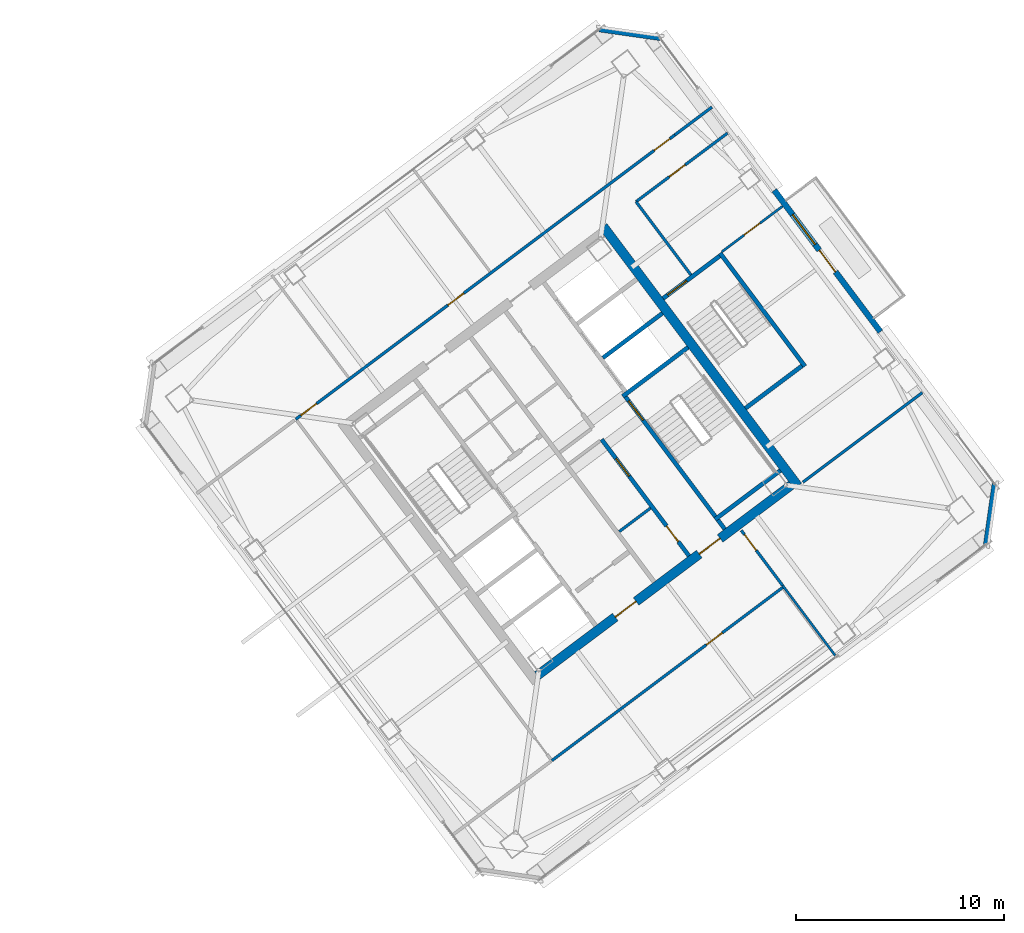
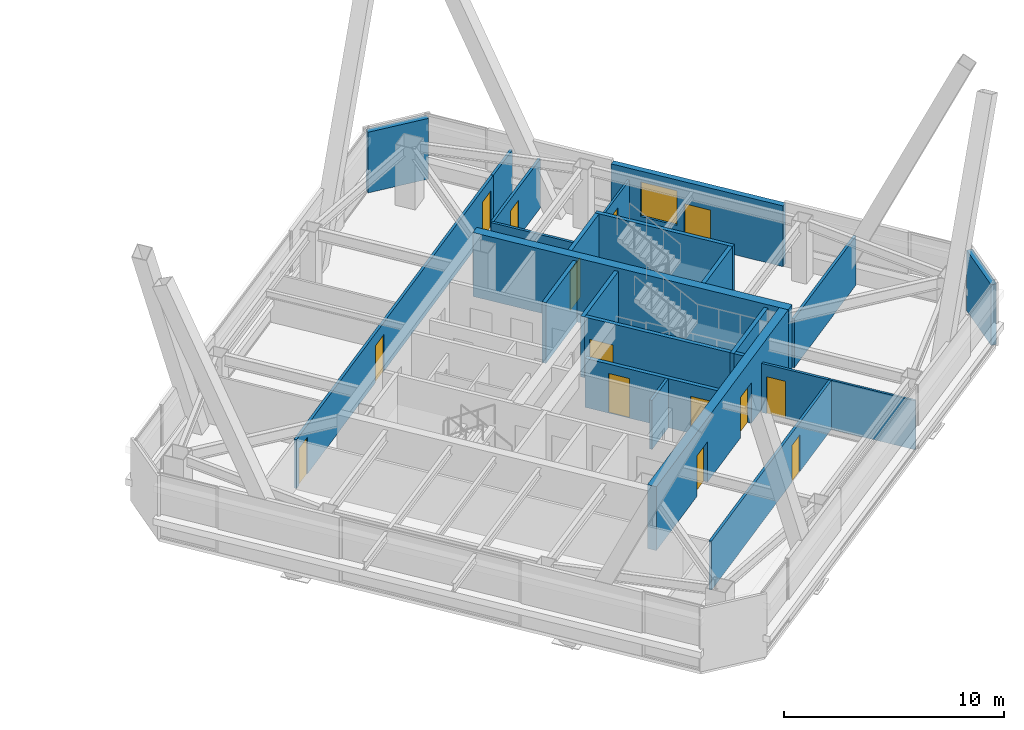
# One storey, part 49 of 56: 23 walls, 14 doors, 1 window, 15 openings.
"""IFC4 building model written with IfcOpenShell, lengths in metres."""

from ifc_helpers import new_model, si_unit, direction, frame, frame_2d, origin, place, context, subcontext, project, spatial, rectangle, extrude, material, layer, layer_set, type_object, element, fill, save


model = new_model("IFC4")

# Units and contexts
model_context = context("Model", 3, precision=1e-05, world=origin(), true_north=direction((0.0, 1.0)))
body_context = subcontext(model_context, "Body", "Model", "MODEL_VIEW")
ifc_project = project(units=[si_unit("LENGTHUNIT", "METRE"), si_unit("AREAUNIT", "SQUARE_METRE"), si_unit("VOLUMEUNIT", "CUBIC_METRE"), si_unit("PLANEANGLEUNIT", "RADIAN"), si_unit("MASSUNIT", "GRAM", prefix="KILO")], contexts=[model_context])

# Site, building, storey
site_placement = place(None, origin())
site = spatial("IfcSite", under=ifc_project, at=site_placement, CompositionType="ELEMENT")
building_placement = place(site_placement, origin())
building = spatial("IfcBuilding", under=site, at=building_placement, Name="Tashvorn Skyway Center", CompositionType="ELEMENT")
storey_placement = place(building_placement, frame((0.0, 0.0, 218.39990234375)))
storey = spatial("IfcBuildingStorey", under=building, at=storey_placement, Name="L59", CompositionType="ELEMENT", Elevation=218.39990234375)

# Wall
ifc_material_1 = material(Name="Concrete C50/60", Category="concrete")
ifc_layer_1 = layer(ifc_material_1, 0.449951171875)
ifc_layer_set_1 = layer_set([ifc_layer_1], Name="Concrete C50/60")
wall_type_1 = type_object("IfcWallType", Name="WALL-CORE-450", PredefinedType="SHEAR", material=ifc_layer_set_1)
wall_1_placement = place(storey_placement, frame((115.60400390625, 42.952880859375, 0.0), z_axis=(0.0, 0.0, 1.0), x_axis=(0.600005007985, -0.799996243986, 0.0)))
element("IfcWall", 1, at=wall_1_placement, inside=storey, type_object=wall_type_1, Name="Tower 2 L59 East Core Shear Wall", PredefinedType="SHEAR", context=body_context, shape_type="SweptSolid", body=[
    extrude(rectangle(XDim=15.60009765625, YDim=0.449951171875, at=frame_2d((7.800048828125, 0.0))), origin(), (0.0, 0.0, 1.0), 3.550048828125),
])

# Wall, openings, doors
wall_2_placement = place(storey_placement, frame((124.64892578125, 30.51806640625, 0.0), z_axis=(0.0, 0.0, 1.0), x_axis=(-0.8, -0.6, 0.0)))
wall_2 = element("IfcWall", 2, at=wall_2_placement, inside=storey, type_object=wall_type_1, Name="Tower 2 L59 South Core Shear Wall", PredefinedType="SHEAR", context=body_context, shape_type="SweptSolid", body=[
    extrude(rectangle(XDim=15.260009765625, YDim=0.449951171875, at=frame_2d((7.6298828125, 0.0))), origin(), (0.0, 0.0, 1.0), 3.550048828125),
])
opening_1_placement = place(wall_2_placement, frame((9.330078125, 0.0, 0.0)))
opening_1 = element("IfcOpeningElement", 3, at=opening_1_placement, cuts=wall_2, Name="Opening D-FFL-1250", PredefinedType="OPENING", context=body_context, shape_type="SweptSolid", body=[
    extrude(rectangle(XDim=1.25, YDim=2.25, at=frame_2d((0.625, 1.125))), frame((0.0, 0.23486328125, 0.0), z_axis=(0.0, -1.0, 0.0), x_axis=(1.0, 0.0, 0.0)), (0.0, 0.0, 1.0), 0.469970703125),
])
opening_2_placement = place(wall_2_placement, frame((4.280029296875, 0.0, 0.0)))
opening_2 = element("IfcOpeningElement", 4, at=opening_2_placement, cuts=wall_2, Name="Opening D-FFL-1250", PredefinedType="OPENING", context=body_context, shape_type="SweptSolid", body=[
    extrude(rectangle(XDim=1.25, YDim=2.25, at=frame_2d((0.625, 1.125))), frame((0.0, 0.23486328125, 0.0), z_axis=(0.0, -1.0, 0.0), x_axis=(1.0, 0.0, 0.0)), (0.0, 0.0, 1.0), 0.469970703125),
])
ifc_material_2 = material(Name="Hollow galvanized steel fire door assembly", Category="steel")
door_type_1 = type_object("IfcDoorType", Name="DOOR-FFL-1250", OperationType="NOTDEFINED", PredefinedType="DOOR", material=ifc_material_2)
door_1_placement = place(opening_1_placement, origin())
door_1 = element("IfcDoor", 5, at=door_1_placement, inside=storey, type_object=door_type_1, Name="Tower 2 L59 Core South Firefighting Exit Door", OperationType="SINGLE_SWING_LEFT", OverallHeight=2.25, OverallWidth=1.25, PredefinedType="DOOR", context=body_context, shape_type="SweptSolid", body=[
    extrude(rectangle(XDim=1.25, YDim=2.25, at=frame_2d((0.625, 1.125))), frame((0.0, 0.02490234375, 0.0), z_axis=(0.0, -1.0, 0.0), x_axis=(1.0, 0.0, 0.0)), (0.0, 0.0, 1.0), 0.050048828125),
])
fill(opening_1, door_1)
door_2_placement = place(opening_2_placement, origin())
door_2 = element("IfcDoor", 6, at=door_2_placement, inside=storey, type_object=door_type_1, Name="Tower 2 L59 Core South Lift Lobby Door", OperationType="SINGLE_SWING_RIGHT", OverallHeight=2.25, OverallWidth=1.25, PredefinedType="DOOR", context=body_context, shape_type="SweptSolid", body=[
    extrude(rectangle(XDim=1.25, YDim=2.25, at=frame_2d((0.625, 1.125))), frame((0.0, 0.02490234375, 0.0), z_axis=(0.0, -1.0, 0.0), x_axis=(1.0, 0.0, 0.0)), (0.0, 0.0, 1.0), 0.050048828125),
])
fill(opening_2, door_2)

# Wall, openings, door, window
ifc_material_3 = material(Name="Precast concrete C40/50", Category="concrete")
ifc_layer_2 = layer(ifc_material_3, 0.280029296875)
ifc_layer_set_2 = layer_set([ifc_layer_2], Name="Precast concrete C40/50")
wall_type_2 = type_object("IfcWallType", Name="WALL-EXT-280", PredefinedType="SOLIDWALL", material=ifc_layer_set_2)
wall_3_placement = place(storey_placement, frame((123.833984375, 44.68798828125, 0.0), z_axis=(0.0, 0.0, 1.0), x_axis=(0.600004595526, -0.799996553335, 0.0)))
wall_3 = element("IfcWall", 7, at=wall_3_placement, inside=storey, type_object=wall_type_2, Name="Tower 2 L59 East Terrace Portal Wall", PredefinedType="SOLIDWALL", context=body_context, shape_type="SweptSolid", body=[
    extrude(rectangle(XDim=8.5, YDim=0.280029296875, at=frame_2d((4.25, 0.0))), origin(), (0.0, 0.0, 1.0), 3.3701171875),
])
opening_3_placement = place(wall_3_placement, frame((3.60009765625, 0.0, 0.0)))
opening_3 = element("IfcOpeningElement", 8, at=opening_3_placement, cuts=wall_3, Name="Opening D-TER-1300", PredefinedType="OPENING", context=body_context, shape_type="SweptSolid", body=[
    extrude(rectangle(XDim=1.300048828125, YDim=2.14990234375, at=frame_2d((0.64990234375, 1.074951171875))), frame((0.0, 0.14990234375, 0.0), z_axis=(0.0, -1.0, 0.0), x_axis=(1.0, 0.0, 0.0)), (0.0, 0.0, 1.0), 0.300048828125),
])
opening_4_placement = place(wall_3_placement, frame((1.4599609375, 0.0, 0.85009765625)))
opening_4 = element("IfcOpeningElement", 9, at=opening_4_placement, cuts=wall_3, Name="Opening WIN-1800", PredefinedType="OPENING", context=body_context, shape_type="SweptSolid", body=[
    extrude(rectangle(XDim=1.800048828125, YDim=1.919921875, at=frame_2d((0.89990234375, 0.9599609375))), frame((0.0, 0.14990234375, 0.0), z_axis=(0.0, -1.0, 0.0), x_axis=(1.0, 0.0, 0.0)), (0.0, 0.0, 1.0), 0.300048828125),
])
ifc_material_4 = material(Name="Thermally broken bronze-anodized aluminium 6063-T6", Category="aluminium")
door_type_2 = type_object("IfcDoorType", Name="DOOR-TERR-1300", OperationType="NOTDEFINED", PredefinedType="DOOR", material=ifc_material_4)
door_3_placement = place(opening_3_placement, origin())
door_3 = element("IfcDoor", 10, at=door_3_placement, inside=storey, type_object=door_type_2, Name="Tower 2 L59 Terrace Access Door", OperationType="SINGLE_SWING_RIGHT", OverallHeight=2.14990234375, OverallWidth=1.300048828125, PredefinedType="DOOR", context=body_context, shape_type="SweptSolid", body=[
    extrude(rectangle(XDim=1.300048828125, YDim=2.14990234375, at=frame_2d((0.64990234375, 1.074951171875))), frame((0.0, 0.02490234375, 0.0), z_axis=(0.0, -1.0, 0.0), x_axis=(1.0, 0.0, 0.0)), (0.0, 0.0, 1.0), 0.050048828125),
])
fill(opening_3, door_3)
ifc_material_5 = material(Name="Low-E solar-control double insulating safety glass", Category="glass")
window_type = type_object("IfcWindowType", Name="WIN-TERR-1800", PartitioningType="SINGLE_PANEL", PredefinedType="WINDOW", material=ifc_material_5)
window_placement = place(opening_4_placement, origin())
window = element("IfcWindow", 11, at=window_placement, inside=storey, type_object=window_type, Name="Tower 2 L59 Terrace Window", OverallHeight=1.919921875, OverallWidth=1.800048828125, PartitioningType="SINGLE_PANEL", PredefinedType="WINDOW", context=body_context, shape_type="SweptSolid", body=[
    extrude(rectangle(XDim=1.800048828125, YDim=1.919921875, at=frame_2d((0.89990234375, 0.9599609375))), frame((0.0, 0.030029296875, 0.0), z_axis=(0.0, -1.0, 0.0), x_axis=(1.0, 0.0, 0.0)), (0.0, 0.0, 1.0), 0.06005859375),
])
fill(opening_4, window)

# Walls
for number, where, z_axis, x_axis, name in (
    (12, (115.419921875, 52.43994140625, 0.0), (0.0, 0.0, 1.0), (0.989954425158, -0.14138683146, 0.0), "Tower 2 L59 NE Precast Chamfer Wall"),
    (13, (134.43994140625, 30.580078125, 0.0), (0.0, 0.0, 1.0), (-0.14138683146, -0.989954425158, 0.0), "Tower 2 L59 SE Precast Chamfer Wall"),
):
    element("IfcWall", number, at=place(storey_placement, frame(where, z_axis=z_axis, x_axis=x_axis)), inside=storey, type_object=wall_type_2, Name=name, PredefinedType="SOLIDWALL", context=body_context, shape_type="SweptSolid", body=[
        extrude(rectangle(XDim=2.969970703125, YDim=0.280029296875, at=frame_2d((1.48486328125, 0.0))), origin(), (0.0, 0.0, 1.0), 3.3701171875),
    ])
ifc_material_6 = material(Name="Gypsum board on cold-formed steel stud framing", Category="steel")
ifc_layer_3 = layer(ifc_material_6, 0.110107421875)
ifc_layer_set_3 = layer_set([ifc_layer_3], Name="Gypsum board on cold-formed steel stud framing")
wall_type_3 = type_object("IfcWallType", Name="WALL-PART-110", PredefinedType="PARTITIONING", material=ifc_layer_set_3)
wall_4_placement = place(storey_placement, frame((126.80810546875, 22.256103515625, 0.0), z_axis=(0.0, 0.0, 1.0), x_axis=(-0.600045526003, 0.799965853474, 0.0)))
element("IfcWall", 14, at=wall_4_placement, inside=storey, type_object=wall_type_3, Name="Tower 2 L59 South-East Suite Wall", PredefinedType="PARTITIONING", context=body_context, shape_type="SweptSolid", body=[
    extrude(rectangle(XDim=4.2900390625, YDim=0.110107421875, at=frame_2d((2.14501953125, 0.0))), origin(), (0.0, 0.0, 1.0), 2.72314453125),
])

# Wall, opening, door
wall_5_placement = place(storey_placement, frame((124.22412109375, 43.91796875, 0.0), z_axis=(0.0, 0.0, 1.0), x_axis=(-0.800024078335, -0.599967894211, 0.0)))
wall_5 = element("IfcWall", 15, at=wall_5_placement, inside=storey, type_object=wall_type_3, Name="Tower 2 L59 East Suite Partition 1", PredefinedType="PARTITIONING", context=body_context, shape_type="SweptSolid", body=[
    extrude(rectangle(XDim=3.650146484375, YDim=0.110107421875, at=frame_2d((1.8251953125, 0.0))), origin(), (0.0, 0.0, 1.0), 2.72314453125),
])
opening_5_placement = place(wall_5_placement, frame((1.35009765625, 0.0, 0.0)))
opening_5 = element("IfcOpeningElement", 16, at=opening_5_placement, cuts=wall_5, Name="Opening D-INT-950", PredefinedType="OPENING", context=body_context, shape_type="SweptSolid", body=[
    extrude(rectangle(XDim=0.949951171875, YDim=2.050048828125, at=frame_2d((0.47509765625, 1.02490234375))), frame((0.0, 0.06494140625, 0.0), z_axis=(0.0, -1.0, 0.0), x_axis=(1.0, 0.0, 0.0)), (0.0, 0.0, 1.0), 0.130126953125),
])
ifc_material_7 = material(Name="Solid-core architectural oak veneer door")
door_type_3 = type_object("IfcDoorType", Name="DOOR-INT-950", OperationType="NOTDEFINED", PredefinedType="DOOR", material=ifc_material_7)
door_4_placement = place(opening_5_placement, origin())
door_4 = element("IfcDoor", 17, at=door_4_placement, inside=storey, type_object=door_type_3, Name="Tower 2 L59 Reading Lounge Door", OperationType="SINGLE_SWING_LEFT", OverallHeight=2.050048828125, OverallWidth=0.949951171875, PredefinedType="DOOR", context=body_context, shape_type="SweptSolid", body=[
    extrude(rectangle(XDim=0.949951171875, YDim=2.050048828125, at=frame_2d((0.47509765625, 1.02490234375))), frame((0.0, 0.02490234375, 0.0), z_axis=(0.0, -1.0, 0.0), x_axis=(1.0, 0.0, 0.0)), (0.0, 0.0, 1.0), 0.050048828125),
])
fill(opening_5, door_4)

# Wall
ifc_layer_4 = layer(ifc_material_6, 0.135009765625)
ifc_layer_set_4 = layer_set([ifc_layer_4], Name="Gypsum board on cold-formed steel stud framing")
wall_type_4 = type_object("IfcWallType", Name="WALL-PART-135", PredefinedType="PARTITIONING", material=ifc_layer_set_4)
wall_6_placement = place(storey_placement, frame((119.823974609375, 40.617919921875, 0.0), z_axis=(0.0, 0.0, 1.0), x_axis=(-0.599982243973, 0.800013316712, 0.0)))
element("IfcWall", 18, at=wall_6_placement, inside=storey, type_object=wall_type_4, Name="Tower 2 L59 Stair 3 Access Corridor Wall", PredefinedType="PARTITIONING", context=body_context, shape_type="SweptSolid", body=[
    extrude(rectangle(XDim=4.39990234375, YDim=0.135009765625, at=frame_2d((2.199951171875, 0.0))), origin(), (0.0, 0.0, 1.0), 2.72314453125),
])

# Wall, openings, doors
wall_7_placement = place(storey_placement, frame((100.825927734375, 33.681884765625, 0.0), z_axis=(0.0, 0.0, 1.0), x_axis=(0.79999742786, 0.600003429504, 0.0)))
wall_7 = element("IfcWall", 19, at=wall_7_placement, inside=storey, type_object=wall_type_4, Name="Tower 2 L59 North Suite Wall", PredefinedType="PARTITIONING", context=body_context, shape_type="SweptSolid", body=[
    extrude(rectangle(XDim=22.7802734375, YDim=0.135009765625, at=frame_2d((11.39013671875, 0.0))), origin(), (0.0, 0.0, 1.0), 2.72314453125),
])
opening_6_placement = place(wall_7_placement, frame((0.300048828125, 0.0, 0.0)))
opening_6 = element("IfcOpeningElement", 20, at=opening_6_placement, cuts=wall_7, Name="Opening D-INT-950", PredefinedType="OPENING", context=body_context, shape_type="SweptSolid", body=[
    extrude(rectangle(XDim=0.949951171875, YDim=2.050048828125, at=frame_2d((0.47509765625, 1.02490234375))), frame((0.0, 0.077392578125, 0.0), z_axis=(0.0, -1.0, 0.0), x_axis=(1.0, 0.0, 0.0)), (0.0, 0.0, 1.0), 0.155029296875),
])
opening_7_placement = place(wall_7_placement, frame((9.142578125, 0.0, 0.0)))
opening_7 = element("IfcOpeningElement", 21, at=opening_7_placement, cuts=wall_7, Name="Opening D-INT-950", PredefinedType="OPENING", context=body_context, shape_type="SweptSolid", body=[
    extrude(rectangle(XDim=0.949951171875, YDim=2.050048828125, at=frame_2d((0.47509765625, 1.02490234375))), frame((0.0, 0.077392578125, 0.0), z_axis=(0.0, -1.0, 0.0), x_axis=(1.0, 0.0, 0.0)), (0.0, 0.0, 1.0), 0.155029296875),
])
opening_8_placement = place(wall_7_placement, frame((21.530029296875, 0.0, 0.0)))
opening_8 = element("IfcOpeningElement", 22, at=opening_8_placement, cuts=wall_7, Name="Opening D-INT-950", PredefinedType="OPENING", context=body_context, shape_type="SweptSolid", body=[
    extrude(rectangle(XDim=0.949951171875, YDim=2.050048828125, at=frame_2d((0.47509765625, 1.02490234375))), frame((0.0, 0.077392578125, 0.0), z_axis=(0.0, -1.0, 0.0), x_axis=(1.0, 0.0, 0.0)), (0.0, 0.0, 1.0), 0.155029296875),
])
door_5_placement = place(opening_6_placement, origin())
door_5 = element("IfcDoor", 23, at=door_5_placement, inside=storey, type_object=door_type_3, Name="Tower 2 L59 Executive Study Lounge Door", OperationType="SINGLE_SWING_LEFT", OverallHeight=2.050048828125, OverallWidth=0.949951171875, PredefinedType="DOOR", context=body_context, shape_type="SweptSolid", body=[
    extrude(rectangle(XDim=0.949951171875, YDim=2.050048828125, at=frame_2d((0.47509765625, 1.02490234375))), frame((0.0, 0.02490234375, 0.0), z_axis=(0.0, -1.0, 0.0), x_axis=(1.0, 0.0, 0.0)), (0.0, 0.0, 1.0), 0.050048828125),
])
fill(opening_6, door_5)
door_6_placement = place(opening_7_placement, origin())
door_6 = element("IfcDoor", 24, at=door_6_placement, inside=storey, type_object=door_type_3, Name="Tower 2 L59 Executive Study Lounge Door", OperationType="SINGLE_SWING_RIGHT", OverallHeight=2.050048828125, OverallWidth=0.949951171875, PredefinedType="DOOR", context=body_context, shape_type="SweptSolid", body=[
    extrude(rectangle(XDim=0.949951171875, YDim=2.050048828125, at=frame_2d((0.47509765625, 1.02490234375))), frame((0.0, 0.02490234375, 0.0), z_axis=(0.0, -1.0, 0.0), x_axis=(1.0, 0.0, 0.0)), (0.0, 0.0, 1.0), 0.050048828125),
])
fill(opening_7, door_6)
door_7_placement = place(opening_8_placement, origin())
door_7 = element("IfcDoor", 25, at=door_7_placement, inside=storey, type_object=door_type_3, Name="Tower 2 L59 Reading Lounge Door", OperationType="SINGLE_SWING_LEFT", OverallHeight=2.050048828125, OverallWidth=0.949951171875, PredefinedType="DOOR", context=body_context, shape_type="SweptSolid", body=[
    extrude(rectangle(XDim=0.949951171875, YDim=2.050048828125, at=frame_2d((0.47509765625, 1.02490234375))), frame((0.0, 0.02490234375, 0.0), z_axis=(0.0, -1.0, 0.0), x_axis=(1.0, 0.0, 0.0)), (0.0, 0.0, 1.0), 0.050048828125),
])
fill(opening_8, door_7)

# Wall
wall_8_placement = place(storey_placement, frame((119.050048828125, 47.35009765625, 0.0), z_axis=(0.0, 0.0, 1.0), x_axis=(0.800013138111, 0.599982482119, 0.0)))
element("IfcWall", 26, at=wall_8_placement, inside=storey, type_object=wall_type_4, Name="Tower 2 L59 North-East Suite South Wall", PredefinedType="PARTITIONING", context=body_context, shape_type="SweptSolid", body=[
    extrude(rectangle(XDim=2.22998046875, YDim=0.135009765625, at=frame_2d((1.114990234375, 0.0))), origin(), (0.0, 0.0, 1.0), 2.72314453125),
])

# Wall, opening, door
wall_9_placement = place(storey_placement, frame((124.281982421875, 25.6240234375, 0.0), z_axis=(0.0, 0.0, 1.0), x_axis=(-0.800004206286, -0.599994391578, 0.0)))
wall_9 = element("IfcWall", 27, at=wall_9_placement, inside=storey, type_object=wall_type_4, Name="Tower 2 L59 South Suite Wall", PredefinedType="PARTITIONING", context=body_context, shape_type="SweptSolid", body=[
    extrude(rectangle(XDim=13.929931640625, YDim=0.135009765625, at=frame_2d((6.96484375, 0.0))), origin(), (0.0, 0.0, 1.0), 2.72314453125),
])
opening_9_placement = place(wall_9_placement, frame((3.689697265625, 0.0, 0.0)))
opening_9 = element("IfcOpeningElement", 28, at=opening_9_placement, cuts=wall_9, Name="Opening D-INT-950", PredefinedType="OPENING", context=body_context, shape_type="SweptSolid", body=[
    extrude(rectangle(XDim=0.949951171875, YDim=2.050048828125, at=frame_2d((0.47509765625, 1.02490234375))), frame((0.0, 0.077392578125, 0.0), z_axis=(0.0, -1.0, 0.0), x_axis=(1.0, 0.0, 0.0)), (0.0, 0.0, 1.0), 0.155029296875),
])
door_8_placement = place(opening_9_placement, origin())
door_8 = element("IfcDoor", 29, at=door_8_placement, inside=storey, type_object=door_type_3, Name="Tower 2 L59 Executive Study Lounge Door", OperationType="SINGLE_SWING_RIGHT", OverallHeight=2.050048828125, OverallWidth=0.949951171875, PredefinedType="DOOR", context=body_context, shape_type="SweptSolid", body=[
    extrude(rectangle(XDim=0.949951171875, YDim=2.050048828125, at=frame_2d((0.47509765625, 1.02490234375))), frame((0.0, 0.02490234375, 0.0), z_axis=(0.0, -1.0, 0.0), x_axis=(1.0, 0.0, 0.0)), (0.0, 0.0, 1.0), 0.050048828125),
])
fill(opening_9, door_8)

wall_10_placement = place(storey_placement, frame((122.248046875, 28.3359375, 0.0), z_axis=(0.0, 0.0, 1.0), x_axis=(0.599976396045, -0.800017702422, 0.0)))
wall_10 = element("IfcWall", 30, at=wall_10_placement, inside=storey, type_object=wall_type_4, Name="Tower 2 L59 South Gallery End Wall", PredefinedType="PARTITIONING", context=body_context, shape_type="SweptSolid", body=[
    extrude(rectangle(XDim=3.309814453125, YDim=0.135009765625, at=frame_2d((1.65478515625, 0.0))), origin(), (0.0, 0.0, 1.0), 2.72314453125),
])
opening_10_placement = place(wall_10_placement, frame((0.25, 0.0, 0.0)))
opening_10 = element("IfcOpeningElement", 31, at=opening_10_placement, cuts=wall_10, Name="Opening D-INT-950", PredefinedType="OPENING", context=body_context, shape_type="SweptSolid", body=[
    extrude(rectangle(XDim=0.949951171875, YDim=2.050048828125, at=frame_2d((0.47509765625, 1.02490234375))), frame((0.0, 0.077392578125, 0.0), z_axis=(0.0, -1.0, 0.0), x_axis=(1.0, 0.0, 0.0)), (0.0, 0.0, 1.0), 0.155029296875),
])
door_9_placement = place(opening_10_placement, origin())
door_9 = element("IfcDoor", 32, at=door_9_placement, inside=storey, type_object=door_type_3, Name="Tower 2 L59 Open Plan Office Door", OperationType="SINGLE_SWING_LEFT", OverallHeight=2.050048828125, OverallWidth=0.949951171875, PredefinedType="DOOR", context=body_context, shape_type="SweptSolid", body=[
    extrude(rectangle(XDim=0.949951171875, YDim=2.050048828125, at=frame_2d((0.47509765625, 1.02490234375))), frame((0.0, 0.02490234375, 0.0), z_axis=(0.0, -1.0, 0.0), x_axis=(1.0, 0.0, 0.0)), (0.0, 0.0, 1.0), 0.050048828125),
])
fill(opening_10, door_9)

wall_11_placement = place(storey_placement, frame((121.583984375, 47.43798828125, 0.0), z_axis=(0.0, 0.0, 1.0), x_axis=(-0.79998934637, -0.600014204577, 0.0)))
wall_11 = element("IfcWall", 33, at=wall_11_placement, inside=storey, type_object=wall_type_4, Name="Tower 2 L59 East Suite North Wall", PredefinedType="PARTITIONING", context=body_context, shape_type="SweptSolid", body=[
    extrude(rectangle(XDim=5.5, YDim=0.135009765625, at=frame_2d((2.75, 0.0))), origin(), (0.0, 0.0, 1.0), 2.72314453125),
])
opening_11_placement = place(wall_11_placement, frame((2.550048828125, 0.0, 0.0)))
opening_11 = element("IfcOpeningElement", 34, at=opening_11_placement, cuts=wall_11, Name="Opening D-INT-950", PredefinedType="OPENING", context=body_context, shape_type="SweptSolid", body=[
    extrude(rectangle(XDim=0.949951171875, YDim=2.050048828125, at=frame_2d((0.47509765625, 1.02490234375))), frame((0.0, 0.077392578125, 0.0), z_axis=(0.0, -1.0, 0.0), x_axis=(1.0, 0.0, 0.0)), (0.0, 0.0, 1.0), 0.155029296875),
])
door_10_placement = place(opening_11_placement, origin())
door_10 = element("IfcDoor", 35, at=door_10_placement, inside=storey, type_object=door_type_3, Name="Tower 2 L59 Open Plan Office Door", OperationType="SINGLE_SWING_RIGHT", OverallHeight=2.050048828125, OverallWidth=0.949951171875, PredefinedType="DOOR", context=body_context, shape_type="SweptSolid", body=[
    extrude(rectangle(XDim=0.949951171875, YDim=2.050048828125, at=frame_2d((0.47509765625, 1.02490234375))), frame((0.0, 0.02490234375, 0.0), z_axis=(0.0, -1.0, 0.0), x_axis=(1.0, 0.0, 0.0)), (0.0, 0.0, 1.0), 0.050048828125),
])
fill(opening_11, door_10)

# Walls
wall_12_placement = place(storey_placement, frame((125.2080078125, 30.656005859375, 0.0), z_axis=(0.0, 0.0, 1.0), x_axis=(0.800004085978, 0.599994551991, 0.0)))
element("IfcWall", 36, at=wall_12_placement, inside=storey, type_object=wall_type_4, Name="Tower 2 L59 East Suite South Wall", PredefinedType="PARTITIONING", context=body_context, shape_type="SweptSolid", body=[
    extrude(rectangle(XDim=7.170166015625, YDim=0.135009765625, at=frame_2d((3.5849609375, 0.0))), origin(), (0.0, 0.0, 1.0), 2.72314453125),
])
ifc_layer_5 = layer(ifc_material_6, 0.135009765625)
ifc_layer_set_5 = layer_set([ifc_layer_5], Name="Gypsum board on cold-formed steel stud framing")
wall_type_5 = type_object("IfcWallType", Name="WALL-RATED-135", PredefinedType="PARTITIONING", material=ifc_layer_set_5)
wall_13_placement = place(storey_placement, frame((116.3759765625, 28.281982421875, 0.0), z_axis=(0.0, 0.0, 1.0), x_axis=(0.8, 0.6, 0.0)))
element("IfcWall", 37, at=wall_13_placement, inside=storey, type_object=wall_type_5, Name="Tower 2 L59 Freed Core Partition", PredefinedType="PARTITIONING", context=body_context, shape_type="SweptSolid", body=[
    extrude(rectangle(XDim=1.8798828125, YDim=0.135009765625, at=frame_2d((0.93994140625, 0.0))), origin(), (0.0, 0.0, 1.0), 2.72314453125),
])
ifc_material_8 = material(Name="Concrete C40/50", Category="concrete")
ifc_layer_6 = layer(ifc_material_8, 0.199951171875)
ifc_layer_set_6 = layer_set([ifc_layer_6], Name="Concrete C40/50")
wall_type_6 = type_object("IfcWallType", Name="WALL-SHAFT-200", PredefinedType="SOLIDWALL", material=ifc_layer_set_6)
wall_14_placement = place(storey_placement, frame((115.590087890625, 36.6298828125, 0.0), z_axis=(0.0, 0.0, 1.0), x_axis=(0.799975449747, 0.600032732276, 0.0)))
element("IfcWall", 38, at=wall_14_placement, inside=storey, type_object=wall_type_6, Name="Tower 2 L59 High-Rise Shaft Divider", PredefinedType="SOLIDWALL", context=body_context, shape_type="SweptSolid", body=[
    extrude(rectangle(XDim=3.580078125, YDim=0.199951171875, at=frame_2d((1.7900390625, 0.0))), origin(), (0.0, 0.0, 1.0), 3.3701171875),
])

# Wall, openings, doors
wall_15_placement = place(storey_placement, frame((119.72998046875, 27.110107421875, 0.0), z_axis=(0.0, 0.0, 1.0), x_axis=(-0.600005580459, 0.799995814625, 0.0)))
wall_15 = element("IfcWall", 39, at=wall_15_placement, inside=storey, type_object=wall_type_6, Name="Tower 2 L59 Low-Rise Core Wall", PredefinedType="SOLIDWALL", context=body_context, shape_type="SweptSolid", body=[
    extrude(rectangle(XDim=6.999755859375, YDim=0.199951171875, at=frame_2d((3.5, 0.0))), origin(), (0.0, 0.0, 1.0), 2.72314453125),
])
opening_12_placement = place(wall_15_placement, frame((0.85009765625, 0.0, 0.0)))
opening_12 = element("IfcOpeningElement", 40, at=opening_12_placement, cuts=wall_15, Name="Opening D-RT-950", PredefinedType="OPENING", context=body_context, shape_type="SweptSolid", body=[
    extrude(rectangle(XDim=0.949951171875, YDim=2.050048828125, at=frame_2d((0.47509765625, 1.02490234375))), frame((0.0, 0.10986328125, 0.0), z_axis=(0.0, -1.0, 0.0), x_axis=(1.0, 0.0, 0.0)), (0.0, 0.0, 1.0), 0.219970703125),
])
opening_13_placement = place(wall_15_placement, frame((4.800048828125, 0.0, 0.0)))
opening_13 = element("IfcOpeningElement", 41, at=opening_13_placement, cuts=wall_15, Name="Opening D-RT-1050", PredefinedType="OPENING", context=body_context, shape_type="SweptSolid", body=[
    extrude(rectangle(XDim=1.050048828125, YDim=2.199951171875, at=frame_2d((0.52490234375, 1.10009765625))), frame((0.0, 0.10986328125, 0.0), z_axis=(0.0, -1.0, 0.0), x_axis=(1.0, 0.0, 0.0)), (0.0, 0.0, 1.0), 0.219970703125),
])
door_type_4 = type_object("IfcDoorType", Name="DOOR-RATED-1050", OperationType="NOTDEFINED", PredefinedType="DOOR", material=ifc_material_2)
door_11_placement = place(opening_13_placement, origin())
door_11 = element("IfcDoor", 42, at=door_11_placement, inside=storey, type_object=door_type_4, Name="Tower 2 L59 Freed Core Room Door", OperationType="SINGLE_SWING_RIGHT", OverallHeight=2.199951171875, OverallWidth=1.050048828125, PredefinedType="DOOR", context=body_context, shape_type="SweptSolid", body=[
    extrude(rectangle(XDim=1.050048828125, YDim=2.199951171875, at=frame_2d((0.52490234375, 1.10009765625))), frame((0.0, 0.02490234375, 0.0), z_axis=(0.0, -1.0, 0.0), x_axis=(1.0, 0.0, 0.0)), (0.0, 0.0, 1.0), 0.050048828125),
])
fill(opening_13, door_11)
door_type_5 = type_object("IfcDoorType", Name="DOOR-RATED-950", OperationType="NOTDEFINED", PredefinedType="DOOR", material=ifc_material_2)
door_12_placement = place(opening_12_placement, origin())
door_12 = element("IfcDoor", 43, at=door_12_placement, inside=storey, type_object=door_type_5, Name="Tower 2 L59 Core Print Room Door", OperationType="SINGLE_SWING_LEFT", OverallHeight=2.050048828125, OverallWidth=0.949951171875, PredefinedType="DOOR", context=body_context, shape_type="SweptSolid", body=[
    extrude(rectangle(XDim=0.949951171875, YDim=2.050048828125, at=frame_2d((0.47509765625, 1.02490234375))), frame((0.0, 0.02490234375, 0.0), z_axis=(0.0, -1.0, 0.0), x_axis=(1.0, 0.0, 0.0)), (0.0, 0.0, 1.0), 0.050048828125),
])
fill(opening_12, door_12)

# Wall, opening, door
ifc_layer_7 = layer(ifc_material_8, 0.199951171875)
ifc_layer_set_7 = layer_set([ifc_layer_7], Name="Concrete C40/50")
wall_type_7 = type_object("IfcWallType", Name="WALL-STSHF-200", PredefinedType="SHEAR", material=ifc_layer_set_7)
wall_16_placement = place(storey_placement, frame((116.56005859375, 34.919921875, 0.0), z_axis=(0.0, 0.0, 1.0), x_axis=(0.59999041401, -0.800007189403, 0.0)))
wall_16 = element("IfcWall", 44, at=wall_16_placement, inside=storey, type_object=wall_type_7, Name="Tower 2 L59 Stair 2 Enclosure Wall", PredefinedType="SHEAR", context=body_context, shape_type="SweptSolid", body=[
    extrude(rectangle(XDim=8.14990234375, YDim=0.199951171875, at=frame_2d((4.074951171875, 0.0))), origin(), (0.0, 0.0, 1.0), 3.3701171875),
])
opening_14_placement = place(wall_16_placement, frame((0.449951171875, 0.0, 0.0)))
opening_14 = element("IfcOpeningElement", 45, at=opening_14_placement, cuts=wall_16, Name="Opening D-ST-1150", PredefinedType="OPENING", context=body_context, shape_type="SweptSolid", body=[
    extrude(rectangle(XDim=1.14990234375, YDim=2.199951171875, at=frame_2d((0.574951171875, 1.10009765625))), frame((0.0, 0.10986328125, 0.0), z_axis=(0.0, -1.0, 0.0), x_axis=(1.0, 0.0, 0.0)), (0.0, 0.0, 1.0), 0.219970703125),
])
door_type_6 = type_object("IfcDoorType", Name="DOOR-STAIR-1150", OperationType="NOTDEFINED", PredefinedType="DOOR", material=ifc_material_2)
door_13_placement = place(opening_14_placement, origin())
door_13 = element("IfcDoor", 46, at=door_13_placement, inside=storey, type_object=door_type_6, Name="Tower 2 L59 Exit Stair 2 Door", OperationType="SINGLE_SWING_RIGHT", OverallHeight=2.199951171875, OverallWidth=1.14990234375, PredefinedType="DOOR", context=body_context, shape_type="SweptSolid", body=[
    extrude(rectangle(XDim=1.14990234375, YDim=2.199951171875, at=frame_2d((0.574951171875, 1.10009765625))), frame((0.0, 0.02490234375, 0.0), z_axis=(0.0, -1.0, 0.0), x_axis=(1.0, 0.0, 0.0)), (0.0, 0.0, 1.0), 0.050048828125),
])
fill(opening_14, door_13)

# Walls
for number, where, z_axis, x_axis, name in (
    (47, (116.5400390625, 34.780029296875, 0.0), (0.0, 0.0, 1.0), (0.800014909178, 0.599980120581, 0.0), "Tower 2 L59 Stair 2 North Wall"),
    (48, (120.97998046875, 28.860107421875, 0.0), (0.0, 0.0, 1.0), (0.800014909178, 0.599980120581, 0.0), "Tower 2 L59 Stair 2 South Wall"),
):
    element("IfcWall", number, at=place(storey_placement, frame(where, z_axis=z_axis, x_axis=x_axis)), inside=storey, type_object=wall_type_7, Name=name, PredefinedType="SHEAR", context=body_context, shape_type="SweptSolid", body=[
        extrude(rectangle(XDim=3.929931640625, YDim=0.199951171875, at=frame_2d((1.96484375, 0.0))), origin(), (0.0, 0.0, 1.0), 3.3701171875),
    ])
wall_17_placement = place(storey_placement, frame((125.303955078125, 36.22802734375, 0.0), z_axis=(0.0, 0.0, 1.0), x_axis=(-0.59998851072, 0.800008616831, 0.0)))
element("IfcWall", 49, at=wall_17_placement, inside=storey, type_object=wall_type_7, Name="Tower 2 L59 Stair 3 Outer Wall", PredefinedType="SHEAR", context=body_context, shape_type="SweptSolid", body=[
    extrude(rectangle(XDim=6.7998046875, YDim=0.199951171875, at=frame_2d((3.39990234375, 0.0))), origin(), (0.0, 0.0, 1.0), 3.3701171875),
])

# Wall, opening, door
wall_18_placement = place(storey_placement, frame((121.2041015625, 41.528076171875, 0.0), z_axis=(0.0, 0.0, 1.0), x_axis=(-0.800017232136, -0.599977023131, 0.0)))
wall_18 = element("IfcWall", 50, at=wall_18_placement, inside=storey, type_object=wall_type_7, Name="Tower 2 L59 Stair 3 Enclosure Wall", PredefinedType="SHEAR", context=body_context, shape_type="SweptSolid", body=[
    extrude(rectangle(XDim=3.400146484375, YDim=0.199951171875, at=frame_2d((1.7001953125, 0.0))), origin(), (0.0, 0.0, 1.0), 3.3701171875),
])
opening_15_placement = place(wall_18_placement, frame((1.97509765625, 0.0, 0.0)))
opening_15 = element("IfcOpeningElement", 51, at=opening_15_placement, cuts=wall_18, Name="Opening D-ST-1150", PredefinedType="OPENING", context=body_context, shape_type="SweptSolid", body=[
    extrude(rectangle(XDim=1.14990234375, YDim=2.199951171875, at=frame_2d((0.574951171875, 1.10009765625))), frame((0.0, 0.10986328125, 0.0), z_axis=(0.0, -1.0, 0.0), x_axis=(1.0, 0.0, 0.0)), (0.0, 0.0, 1.0), 0.219970703125),
])
door_14_placement = place(opening_15_placement, origin())
door_14 = element("IfcDoor", 52, at=door_14_placement, inside=storey, type_object=door_type_6, Name="Tower 2 L59 Exit Stair 3 Door", OperationType="SINGLE_SWING_RIGHT", OverallHeight=2.199951171875, OverallWidth=1.14990234375, PredefinedType="DOOR", context=body_context, shape_type="SweptSolid", body=[
    extrude(rectangle(XDim=1.14990234375, YDim=2.199951171875, at=frame_2d((0.574951171875, 1.10009765625))), frame((0.0, 0.02490234375, 0.0), z_axis=(0.0, -1.0, 0.0), x_axis=(1.0, 0.0, 0.0)), (0.0, 0.0, 1.0), 0.050048828125),
])
fill(opening_15, door_14)

# Wall
wall_19_placement = place(storey_placement, frame((122.444091796875, 34.2080078125, 0.0), z_axis=(0.0, 0.0, 1.0), x_axis=(0.79999138319, 0.600011488909, 0.0)))
element("IfcWall", 53, at=wall_19_placement, inside=storey, type_object=wall_type_7, Name="Tower 2 L59 Stair 3 South Wall", PredefinedType="SHEAR", context=body_context, shape_type="SweptSolid", body=[
    extrude(rectangle(XDim=3.39990234375, YDim=0.199951171875, at=frame_2d((1.699951171875, 0.0))), origin(), (0.0, 0.0, 1.0), 3.3701171875),
])

save(model, "model.ifc")
